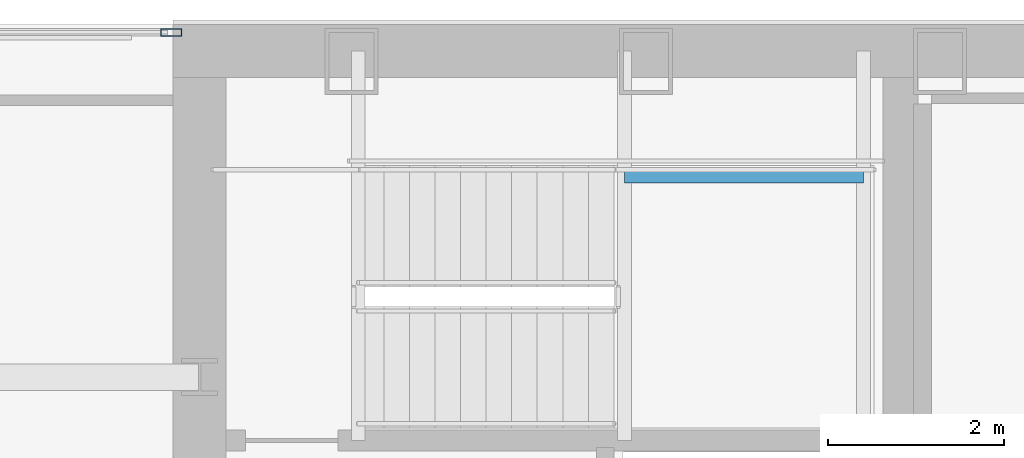
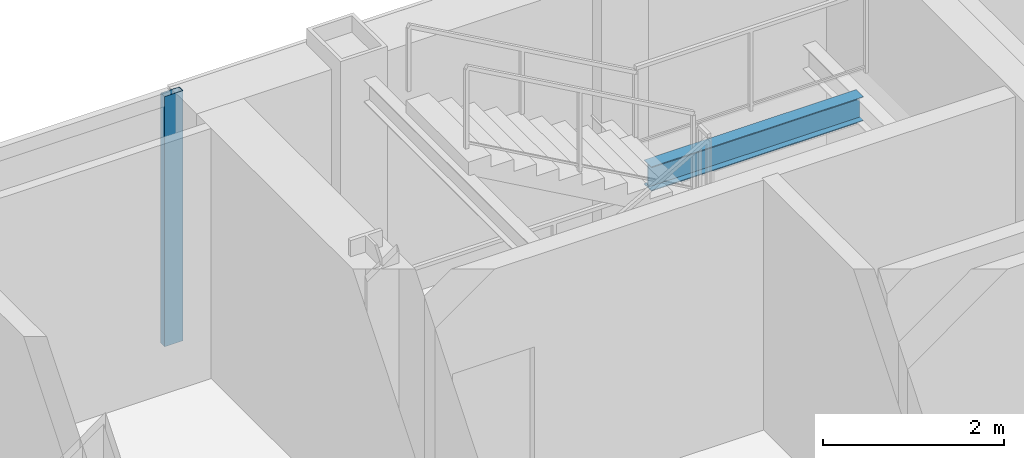
# One storey, part 21 of 30: 1 beam, 1 member, 1 element without a shape of its own.
"""IFC4 building model written with IfcOpenShell, lengths in metres."""

from ifc_helpers import new_model, si_unit, direction, frame, origin, origin_2d, place, context, subcontext, project, spatial, hollow_rectangle, i_section, extrude, material, material_profile, profile_set, type_object, element, aggregate, save


model = new_model("IFC4")

# Units and contexts
model_context = context("Model", 3, precision=1e-05, world=origin(), true_north=direction((0.0, 1.0)))
body_context = subcontext(model_context, "Body", "Model", "MODEL_VIEW")
ifc_project = project(units=[si_unit("LENGTHUNIT", "METRE"), si_unit("AREAUNIT", "SQUARE_METRE"), si_unit("VOLUMEUNIT", "CUBIC_METRE"), si_unit("PLANEANGLEUNIT", "RADIAN"), si_unit("MASSUNIT", "GRAM", prefix="KILO")], contexts=[model_context])

# Site, building, storey
site_placement = place(None, origin())
site = spatial("IfcSite", under=ifc_project, at=site_placement, CompositionType="ELEMENT")
building_placement = place(site_placement, origin())
building = spatial("IfcBuilding", under=site, at=building_placement, Name="Khoronbel Lancet Exchange", CompositionType="ELEMENT")
storey_placement = place(building_placement, frame((0.0, 0.0, 253.39990234375)))
storey = spatial("IfcBuildingStorey", under=building, at=storey_placement, Name="L65", CompositionType="ELEMENT", Elevation=253.39990234375)

# Beam
ifc_material_1 = material(Name="Steel S355", Category="steel")
ifc_material_profile_1 = material_profile(ifc_material_1, i_section(OverallWidth=0.159912109375, OverallDepth=0.330078125, WebThickness=0.007568359375, FlangeThickness=0.011474609375, at=origin_2d()), Name="IPE 330")
ifc_profile_set_1 = profile_set([ifc_material_profile_1], Name="Steel S355")
beam_type = type_object("IfcBeamType", Name="BM-BJ7", PredefinedType="JOIST", material=ifc_profile_set_1)
beam_placement = place(storey_placement, frame((21.320068359375, 51.97998046875, 1.43505859375), z_axis=(1.0, 0.0, 0.0), x_axis=(0.0, 1.0, 0.0)))
element("IfcBeam", 1, at=beam_placement, inside=storey, type_object=beam_type, Name="Level L65 stair ST1 landing cross trimmer beam 1", PredefinedType="JOIST", context=body_context, shape_type="SweptSolid", body=[
    extrude(i_section(OverallWidth=0.159912109375, OverallDepth=0.330078125, WebThickness=0.007568359375, FlangeThickness=0.011474609375, at=origin_2d()), origin(), (0.0, 0.0, 1.0), 2.7099609375),
])

# Curtain wall, member
ifc_material_2 = material(Name="Low-E Solar Control Insulating Glass", Category="glass")
curtain_wall_type = type_object("IfcCurtainWallType", Name="CW-3", PredefinedType="NOTDEFINED", material=ifc_material_2)
curtain_wall_placement = place(storey_placement, origin())
curtain_wall = element("IfcCurtainWall", 2, at=curtain_wall_placement, inside=storey, type_object=curtain_wall_type, Name="Unitised curtain wall CW-L65-NWFLK", PredefinedType="NOTDEFINED")
ifc_material_3 = material(Name="Bronze-Anodised Aluminium 6063-T6", Category="aluminium")
ifc_material_profile_2 = material_profile(ifc_material_3, hollow_rectangle(XDim=0.0849609375, YDim=0.239990234375, WallThickness=0.006103515625, at=origin_2d()), Name="ALU MULLION 85x240")
ifc_profile_set_2 = profile_set([ifc_material_profile_2], Name="Bronze-Anodised Aluminium 6063-T6")
member_type = type_object("IfcMemberType", Name="MEM-CWM1", PredefinedType="MULLION", material=ifc_profile_set_2)
member_placement = place(storey_placement, frame((16.177490234375, 53.610107421875, 0.0), z_axis=(0.0, 0.0, 1.0), x_axis=(0.0, -1.0, 0.0)))
member = element("IfcMember", 3, at=member_placement, type_object=member_type, Name="CW3 mullion 1", PredefinedType="MULLION", context=body_context, shape_type="SweptSolid", body=[
    extrude(hollow_rectangle(XDim=0.0849609375, YDim=0.239990234375, WallThickness=0.006103515625, at=origin_2d()), origin(), (0.0, 0.0, 1.0), 3.380126953125),
])
aggregate(curtain_wall, [member])

save(model, "model.ifc")
